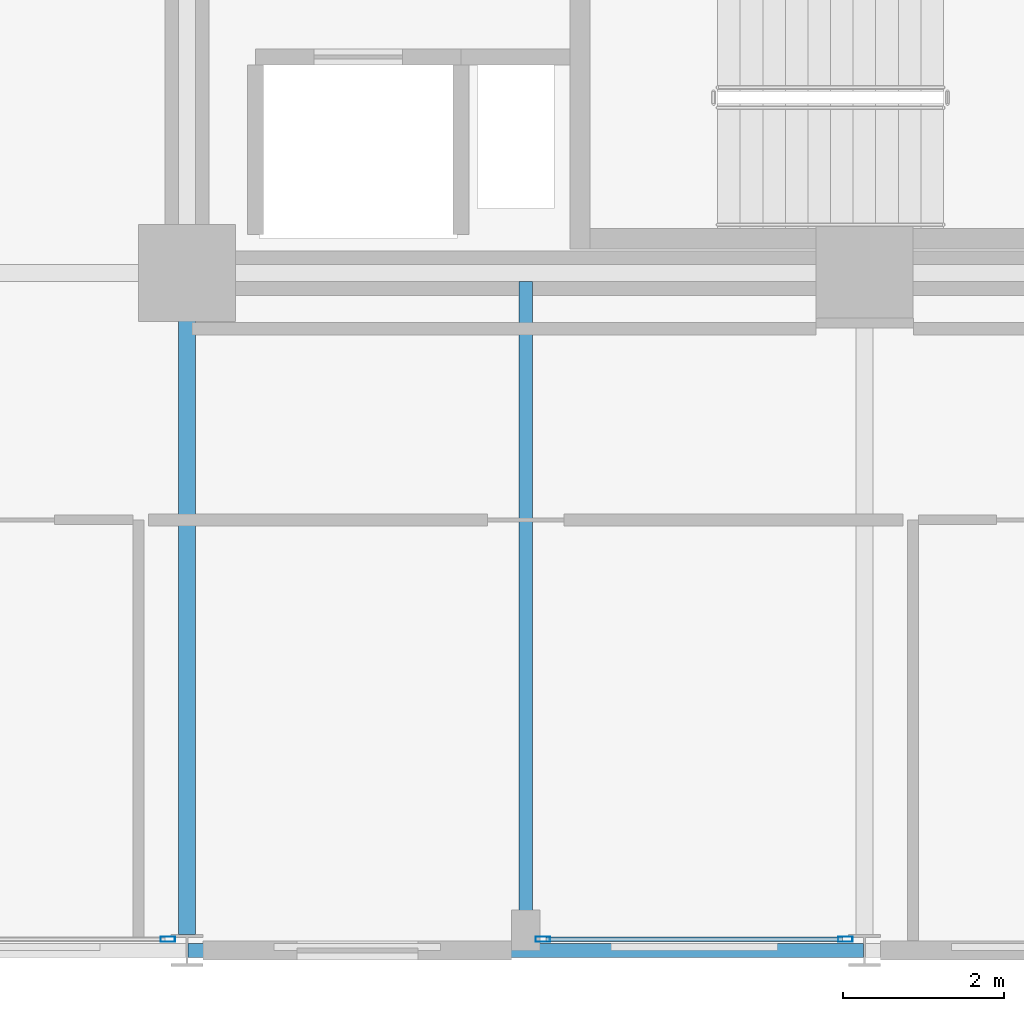
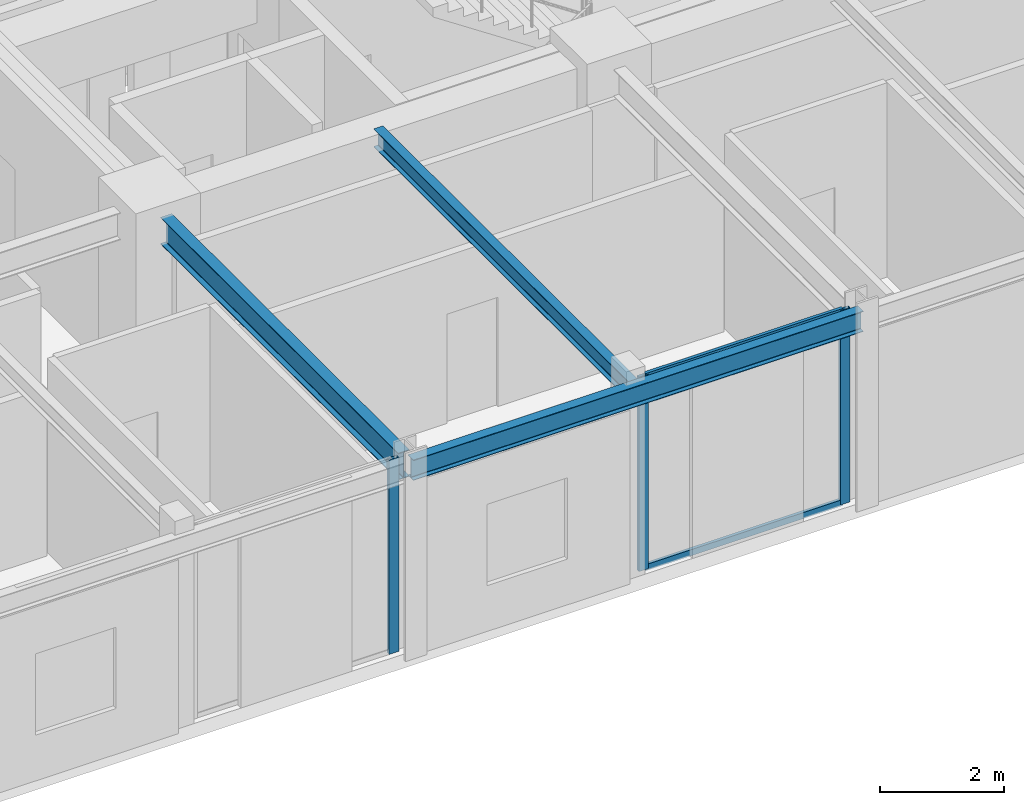
# One storey, part 6 of 29: 5 members, 3 beams, 2 elements without a shape of their own.
"""IFC4 building model written with IfcOpenShell, lengths in metres."""

from ifc_helpers import new_model, si_unit, direction, frame, origin, origin_2d, place, context, subcontext, project, spatial, hollow_rectangle, i_section, extrude, material, layer, layer_set, material_profile, profile_set, type_object, element, aggregate, save


model = new_model("IFC4")

# Units and contexts
model_context = context("Model", 3, precision=1e-05, world=origin(), true_north=direction((0.0, 1.0)))
body_context = subcontext(model_context, "Body", "Model", "MODEL_VIEW")
ifc_project = project(units=[si_unit("LENGTHUNIT", "METRE"), si_unit("AREAUNIT", "SQUARE_METRE"), si_unit("VOLUMEUNIT", "CUBIC_METRE"), si_unit("PLANEANGLEUNIT", "RADIAN"), si_unit("MASSUNIT", "GRAM", prefix="KILO")], contexts=[model_context])

# Site, building, storey
site_placement = place(None, origin())
site = spatial("IfcSite", under=ifc_project, at=site_placement, CompositionType="ELEMENT")
building_placement = place(site_placement, origin())
building = spatial("IfcBuilding", under=site, at=building_placement, Name="Nerrivon Quay Data Exchange", CompositionType="ELEMENT")
storey_placement = place(building_placement, frame((0.0, 0.0, 121.300048828125)))
storey = spatial("IfcBuildingStorey", under=building, at=storey_placement, Name="L28", CompositionType="ELEMENT", Elevation=121.300048828125)

# Beams
ifc_material_1 = material(Name="Steel Grade 350", Category="steel")
ifc_material_profile_1 = material_profile(ifc_material_1, i_section(OverallWidth=0.208984375, OverallDepth=0.528076171875, WebThickness=0.009521484375, FlangeThickness=0.01318359375, FilletRadius=0.013916015625, at=origin_2d()), Name="530UB82.0")
ifc_profile_set_1 = profile_set([ifc_material_profile_1], Name="Steel Grade 350")
beam_type_1 = type_object("IfcBeamType", Name="BM-G4-530UB82", PredefinedType="BEAM", material=ifc_profile_set_1)
beam_1_placement = place(storey_placement, frame((16.800048828125, 0.199951171875, 3.56103515625), z_axis=(0.0, 1.0, 0.0), x_axis=(-1.0, 0.0, 0.0)))
element("IfcBeam", 1, at=beam_1_placement, inside=storey, type_object=beam_type_1, Name="L28 NS Girder X=16.8 (0.0..8.4)", PredefinedType="BEAM", context=body_context, shape_type="SweptSolid", body=[
    extrude(i_section(OverallWidth=0.208984375, OverallDepth=0.528076171875, WebThickness=0.009521484375, FlangeThickness=0.01318359375, FilletRadius=0.013916015625, at=origin_2d()), origin(), (0.0, 0.0, 1.0), 7.66015625),
])
ifc_material_profile_2 = material_profile(ifc_material_1, i_section(OverallWidth=0.1708984375, OverallDepth=0.35595703125, WebThickness=0.00732421875, FlangeThickness=0.011474609375, FilletRadius=0.011474609375, at=origin_2d()), Name="360UB50.7")
ifc_profile_set_2 = profile_set([ifc_material_profile_2], Name="Steel Grade 350")
beam_type_2 = type_object("IfcBeamType", Name="BM-J4-360UB51", PredefinedType="JOIST", material=ifc_profile_set_2)
beam_2_placement = place(storey_placement, frame((21.0, 0.089111328125, 3.64697265625), z_axis=(0.0, 1.0, 0.0), x_axis=(-1.0, 0.0, 0.0)))
element("IfcBeam", 2, at=beam_2_placement, inside=storey, type_object=beam_type_2, Name="L28 Secondary Joist X=21.0 (0.0..8.4)", PredefinedType="JOIST", context=body_context, shape_type="SweptSolid", body=[
    extrude(i_section(OverallWidth=0.1708984375, OverallDepth=0.35595703125, WebThickness=0.00732421875, FlangeThickness=0.011474609375, FilletRadius=0.011474609375, at=origin_2d()), origin(), (0.0, 0.0, 1.0), 8.206298828125),
])
ifc_material_profile_3 = material_profile(ifc_material_1, i_section(OverallWidth=0.177978515625, OverallDepth=0.403076171875, WebThickness=0.007568359375, FlangeThickness=0.010986328125, FilletRadius=0.011474609375, at=origin_2d()), Name="410UB53.7")
ifc_profile_set_3 = profile_set([ifc_material_profile_3], Name="Steel Grade 350")
beam_type_3 = type_object("IfcBeamType", Name="BM-SP2-410UB54", PredefinedType="SPANDREL", material=ifc_profile_set_3)
beam_3_placement = place(storey_placement, frame((16.8125, 0.0, 3.62353515625), z_axis=(1.0, 0.0, 0.0), x_axis=(0.0, 1.0, 0.0)))
element("IfcBeam", 3, at=beam_3_placement, inside=storey, type_object=beam_type_3, Name="L28 EW Girder Y=0.0 (16.8..25.2)", PredefinedType="SPANDREL", context=body_context, shape_type="SweptSolid", body=[
    extrude(i_section(OverallWidth=0.177978515625, OverallDepth=0.403076171875, WebThickness=0.007568359375, FlangeThickness=0.010986328125, FilletRadius=0.011474609375, at=origin_2d()), origin(), (0.0, 0.0, 1.0), 8.375),
])

# Curtain wall, members
ifc_material_2 = material(Name="Anodised aluminium 6063-T6", Category="aluminium")
ifc_layer = layer(ifc_material_2, 0.2099609375)
ifc_layer_set = layer_set([ifc_layer], Name="Anodised aluminium 6063-T6")
curtain_wall_type = type_object("IfcCurtainWallType", Name="CW-SYS-02", PredefinedType="NOTDEFINED", material=ifc_layer_set)
curtain_wall_1_placement = place(storey_placement, origin())
curtain_wall_1 = element("IfcCurtainWall", 4, at=curtain_wall_1_placement, inside=storey, type_object=curtain_wall_type, Name="L28 Unitised Curtain Wall 4", PredefinedType="NOTDEFINED")
ifc_material_profile_4 = material_profile(ifc_material_2, hollow_rectangle(XDim=0.06494140625, YDim=0.179931640625, WallThickness=0.00341796875, at=origin_2d()), Name="ALU-MULL-180x65")
ifc_profile_set_4 = profile_set([ifc_material_profile_4], Name="Anodised aluminium 6063-T6")
member_type_1 = type_object("IfcMemberType", Name="CWM-180x65", PredefinedType="MULLION", material=ifc_profile_set_4)
member_1_placement = place(storey_placement, frame((24.96240234375, 0.139892578125, 0.0), z_axis=(0.0, 0.0, 1.0), x_axis=(0.0, -1.0, 0.0)))
member_1 = element("IfcMember", 5, at=member_1_placement, type_object=member_type_1, Name="CW02 mullion 1", PredefinedType="MULLION", context=body_context, shape_type="SweptSolid", body=[
    extrude(hollow_rectangle(XDim=0.06494140625, YDim=0.179931640625, WallThickness=0.00341796875, at=origin_2d()), origin(), (0.0, 0.0, 1.0), 3.824951171875),
])
member_2_placement = place(storey_placement, frame((21.21240234375, 0.139892578125, 0.0), z_axis=(0.0, 0.0, 1.0), x_axis=(0.0, -1.0, 0.0)))
member_2 = element("IfcMember", 6, at=member_2_placement, type_object=member_type_1, Name="CW02 mullion 2", PredefinedType="MULLION", context=body_context, shape_type="SweptSolid", body=[
    extrude(hollow_rectangle(XDim=0.06494140625, YDim=0.179931640625, WallThickness=0.00341796875, at=origin_2d()), origin(), (0.0, 0.0, 1.0), 3.824951171875),
])

# Curtain wall, member
curtain_wall_2_placement = place(storey_placement, origin())
curtain_wall_2 = element("IfcCurtainWall", 7, at=curtain_wall_2_placement, inside=storey, type_object=curtain_wall_type, Name="L28 Unitised Curtain Wall 6", PredefinedType="NOTDEFINED")
member_3_placement = place(storey_placement, frame((16.5625, 0.139892578125, 0.0), z_axis=(0.0, 0.0, 1.0), x_axis=(0.0, -1.0, 0.0)))
member_3 = element("IfcMember", 8, at=member_3_placement, type_object=member_type_1, Name="CW02 mullion 1", PredefinedType="MULLION", context=body_context, shape_type="SweptSolid", body=[
    extrude(hollow_rectangle(XDim=0.06494140625, YDim=0.179931640625, WallThickness=0.00341796875, at=origin_2d()), origin(), (0.0, 0.0, 1.0), 3.824951171875),
])
aggregate(curtain_wall_2, [member_3])

# Member
ifc_material_profile_5 = material_profile(ifc_material_2, hollow_rectangle(XDim=0.06005859375, YDim=0.1201171875, WallThickness=0.003173828125, at=origin_2d()), Name="ALU-TRAN-120x60")
ifc_profile_set_5 = profile_set([ifc_material_profile_5], Name="Anodised aluminium 6063-T6")
member_type_2 = type_object("IfcMemberType", Name="CWT-120x60", PredefinedType="USERDEFINED", material=ifc_profile_set_5)
member_4_placement = place(storey_placement, frame((24.925048828125, 0.139892578125, 0.032470703125), z_axis=(-1.0, 0.0, 0.0), x_axis=(0.0, -1.0, 0.0)))
member_4 = element("IfcMember", 9, at=member_4_placement, type_object=member_type_2, Name="CW02 transom 1.1", ObjectType="TRANSOM", PredefinedType="USERDEFINED", context=body_context, shape_type="SweptSolid", body=[
    extrude(hollow_rectangle(XDim=0.06005859375, YDim=0.1201171875, WallThickness=0.003173828125, at=origin_2d()), origin(), (0.0, 0.0, 1.0), 3.675048828125),
])

member_5_placement = place(storey_placement, frame((24.925048828125, 0.139892578125, 3.79248046875), z_axis=(-1.0, 0.0, 0.0), x_axis=(0.0, -1.0, 0.0)))
member_5 = element("IfcMember", 10, at=member_5_placement, type_object=member_type_2, Name="CW02 transom 1.2", ObjectType="TRANSOM", PredefinedType="USERDEFINED", context=body_context, shape_type="SweptSolid", body=[
    extrude(hollow_rectangle(XDim=0.06005859375, YDim=0.1201171875, WallThickness=0.003173828125, at=origin_2d()), origin(), (0.0, 0.0, 1.0), 3.675048828125),
])

aggregate(curtain_wall_1, [member_1, member_2, member_4, member_5])

save(model, "model.ifc")
